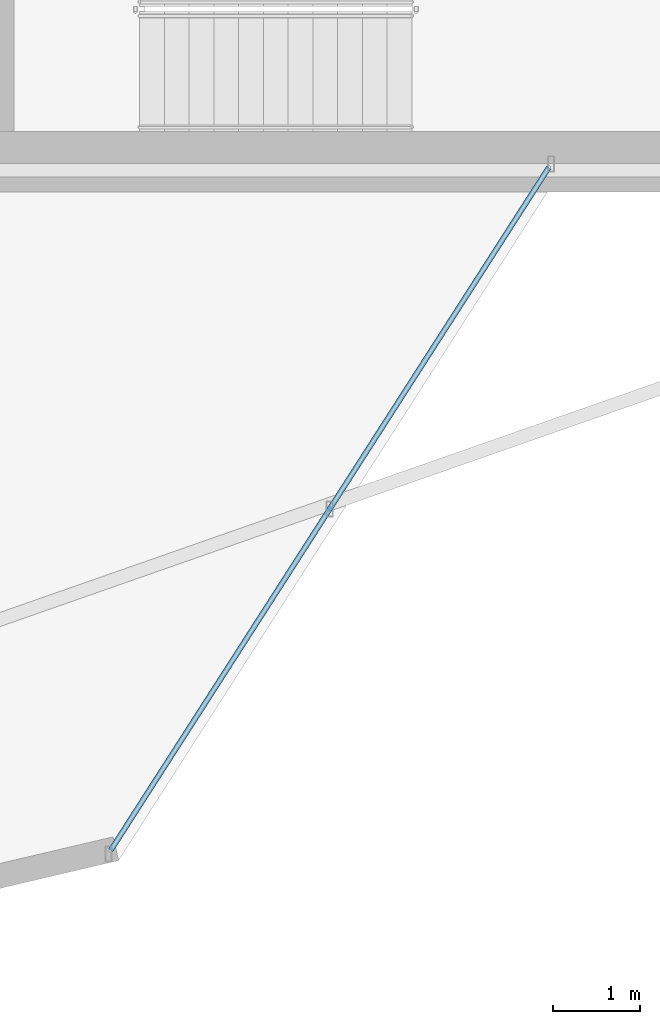
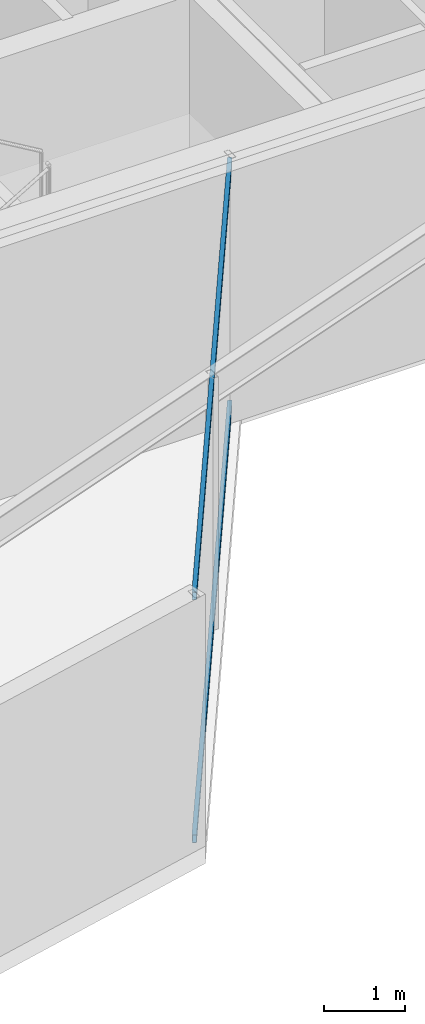
# One storey, part 7 of 23: 2 members, 1 element without a shape of its own.
"""IFC4 building model written with IfcOpenShell, lengths in metres."""

from ifc_helpers import new_model, si_unit, direction, frame, origin, origin_2d, place, context, subcontext, project, spatial, hollow_rectangle, extrude, material, layer, layer_set, material_profile, profile_set, type_object, element, aggregate, save


model = new_model("IFC4")

# Units and contexts
model_context = context("Model", 3, precision=1e-05, world=origin(), true_north=direction((0.0, 1.0)))
body_context = subcontext(model_context, "Body", "Model", "MODEL_VIEW")
ifc_project = project(units=[si_unit("LENGTHUNIT", "METRE"), si_unit("AREAUNIT", "SQUARE_METRE"), si_unit("VOLUMEUNIT", "CUBIC_METRE"), si_unit("PLANEANGLEUNIT", "RADIAN"), si_unit("MASSUNIT", "GRAM", prefix="KILO")], contexts=[model_context])

# Site, building, storey
site_placement = place(None, origin())
site = spatial("IfcSite", under=ifc_project, at=site_placement, CompositionType="ELEMENT")
building_placement = place(site_placement, origin())
building = spatial("IfcBuilding", under=site, at=building_placement, Name="Veymaron Broadcast Tower", CompositionType="ELEMENT")
storey_placement = place(building_placement, frame((0.0, 0.0, 199.949951171875)))
storey = spatial("IfcBuildingStorey", under=building, at=storey_placement, Name="L46", CompositionType="ELEMENT", Elevation=199.949951171875)

# Curtain wall, members
ifc_material_1 = material(Name="Anodised aluminium AA 6063-T6 and laminated low-E dark glass", Category="aluminium")
ifc_layer = layer(ifc_material_1, 0.179931640625)
ifc_layer_set = layer_set([ifc_layer], Name="Anodised aluminium AA 6063-T6 and laminated low-E dark glass")
curtain_wall_type = type_object("IfcCurtainWallType", Name="CW-SYS-05", PredefinedType="NOTDEFINED", material=ifc_layer_set)
curtain_wall_placement = place(storey_placement, origin())
curtain_wall = element("IfcCurtainWall", 1, at=curtain_wall_placement, inside=storey, type_object=curtain_wall_type, Name="L46 dark-glass curtain wall CW-L46-E20-1", PredefinedType="NOTDEFINED")
ifc_material_2 = material(Name="Anodised aluminium AA 6063-T6", Category="aluminium")
ifc_material_profile = material_profile(ifc_material_2, hollow_rectangle(XDim=0.06005859375, YDim=0.1201171875, WallThickness=0.00390625, at=origin_2d()), Name="AL120X60X4")
ifc_profile_set = profile_set([ifc_material_profile], Name="Anodised aluminium AA 6063-T6")
member_type = type_object("IfcMemberType", Name="CW-TRN-02", PredefinedType="USERDEFINED", material=ifc_profile_set)
member_1_placement = place(storey_placement, frame((41.095947265625, 8.167724609375, 0.070068359375), z_axis=(0.539970408513, 0.841684001232, 0.0), x_axis=(-0.841684001232, 0.539970408513, 0.0)))
member_1 = element("IfcMember", 2, at=member_1_placement, type_object=member_type, Name="CW-L46-E20-1 transom B", ObjectType="TRANSOM", PredefinedType="USERDEFINED", context=body_context, shape_type="SweptSolid", body=[
    extrude(hollow_rectangle(XDim=0.06005859375, YDim=0.1201171875, WallThickness=0.00390625, at=origin_2d()), origin(), (0.0, 0.0, 1.0), 9.34521484375),
])
member_2_placement = place(storey_placement, frame((41.095947265625, 8.167724609375, 3.719970703125), z_axis=(0.539970408513, 0.841684001232, 0.0), x_axis=(-0.841684001232, 0.539970408513, 0.0)))
member_2 = element("IfcMember", 3, at=member_2_placement, type_object=member_type, Name="CW-L46-E20-1 transom T", ObjectType="TRANSOM", PredefinedType="USERDEFINED", context=body_context, shape_type="SweptSolid", body=[
    extrude(hollow_rectangle(XDim=0.06005859375, YDim=0.1201171875, WallThickness=0.00390625, at=origin_2d()), origin(), (0.0, 0.0, 1.0), 9.34521484375),
])
aggregate(curtain_wall, [member_1, member_2])

save(model, "model.ifc")
